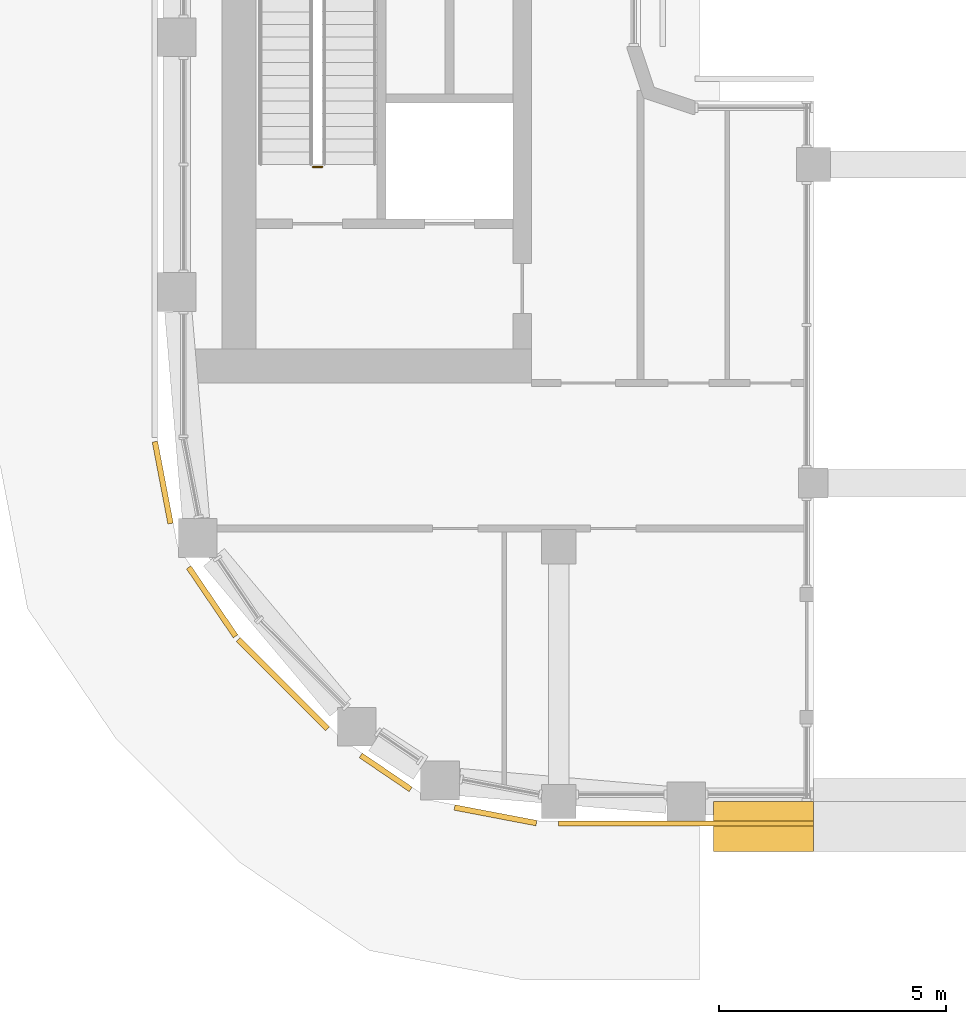
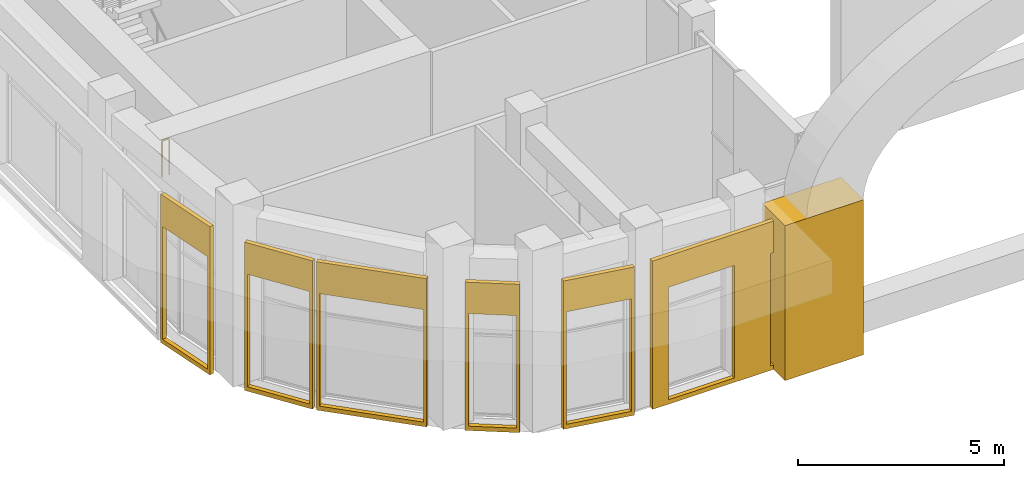
# One storey, part 18 of 26: 7 coverings, 1 railing.
"""IFC4 building model written with IfcOpenShell, lengths in metres."""

from ifc_helpers import new_model, si_unit, direction, frame, origin, origin_2d, place, context, subcontext, project, spatial, polyline, rectangle, circle, outline, extrude, material, layer, layer_set, type_object, element, save


model = new_model("IFC4")

# Units and contexts
model_context = context("Model", 3, precision=1e-05, world=origin(), true_north=direction((0.0, 1.0)))
body_context = subcontext(model_context, "Body", "Model", "MODEL_VIEW")
ifc_project = project(units=[si_unit("LENGTHUNIT", "METRE"), si_unit("AREAUNIT", "SQUARE_METRE"), si_unit("VOLUMEUNIT", "CUBIC_METRE"), si_unit("PLANEANGLEUNIT", "RADIAN"), si_unit("MASSUNIT", "GRAM", prefix="KILO")], contexts=[model_context])

# Site, building, storey
site_placement = place(None, origin())
site = spatial("IfcSite", under=ifc_project, at=site_placement, CompositionType="ELEMENT")
building_placement = place(site_placement, origin())
building = spatial("IfcBuilding", under=site, at=building_placement, Name="Kiln Ring Residences", CompositionType="ELEMENT")
storey_placement = place(building_placement, frame((0.0, 0.0, 230.89990234375)))
storey = spatial("IfcBuildingStorey", under=building, at=storey_placement, Name="L60", CompositionType="ELEMENT", Elevation=230.89990234375)

# Railing
ifc_material_1 = material(Name="Stainless steel", Category="steel")
railing_type = type_object("IfcRailingType", Name="CORE-STAIR-GUARD", PredefinedType="GUARDRAIL", material=ifc_material_1)
railing_placement = place(storey_placement, frame((-22.0, -8.449951171875, 0.0)))
element("IfcRailing", 1, at=railing_placement, inside=storey, type_object=railing_type, Name="L60 W-STS stair guard 4", PredefinedType="GUARDRAIL", context=body_context, shape_type="SweptSolid", body=[
    extrude(circle(Radius=0.02392578125, at=origin_2d()), frame((0.0, 0.0, 1.076171875), z_axis=(-1.0, 0.0, 0.0), x_axis=(0.0, -1.0, 0.0)), (0.0, 0.0, 1.0), 0.199951171875),
    extrude(circle(Radius=0.02099609375, at=origin_2d()), origin(), (0.0, 0.0, 1.0), 1.052001953125),
    extrude(circle(Radius=0.02099609375, at=origin_2d()), frame((-0.199951171875, 0.0, 0.0)), (0.0, 0.0, 1.0), 1.052001953125),
])

# Coverings
ifc_material_2 = material(Name="Concrete C35/45, exposed aggregate finish", Category="concrete")
covering_type_1 = type_object("IfcCoveringType", Name="PORTAL JAMB 1400 x 700", PredefinedType="CLADDING", material=ifc_material_2)
covering_1_placement = place(storey_placement, frame((-12.300048828125, -22.949951171875, 0.0), z_axis=(0.0, 0.0, 1.0), x_axis=(1.0, 0.0, 0.0)))
element("IfcCovering", 2, at=covering_1_placement, inside=storey, type_object=covering_type_1, Name="PORTAL JAMB L60", PredefinedType="CLADDING", context=body_context, shape_type="SweptSolid", body=[
    extrude(rectangle(XDim=2.199951171875, YDim=1.10009765625, at=origin_2d()), origin(), (0.0, 0.0, 1.0), 4.60009765625),
])
ifc_material_3 = material(Name="Brick masonry, dark clay brick", Category="masonry")
ifc_layer = layer(ifc_material_3, 0.1201171875)
ifc_layer_set = layer_set([ifc_layer], Name="RAINSCREEN PANEL 120")
covering_type_2 = type_object("IfcCoveringType", Name="RAINSCREEN PANEL 120", PredefinedType="CLADDING", material=ifc_layer_set)
for number, where, z_axis, x_axis, name in (
    (3, (-25.676513671875, -14.490966796875, 0.0), (0.0, 0.0, 1.0), (0.187467458198, -0.982270814041, 0.0), "RAINSCREEN L60"),
    (4, (-24.933349609375, -17.255126953125, 0.0), (0.0, 0.0, 1.0), (0.562062033417, -0.827095079535, 0.0), "RAINSCREEN L60"),
):
    element("IfcCovering", number, at=place(storey_placement, frame(where, z_axis=z_axis, x_axis=x_axis)), inside=storey, type_object=covering_type_2, Name=name, PredefinedType="CLADDING", context=body_context, shape_type="SweptSolid", body=[
        extrude(outline(polyline([(0.0, 0.0), (1.8310546875, 0.0), (1.8310546875, 4.400146484375), (0.0, 4.400146484375), (0.0, 0.0)]), holes=[polyline([(0.080078125, 3.47021484375), (0.080078125, 0.130126953125), (1.751220703125, 0.130126953125), (1.751220703125, 3.47021484375), (0.080078125, 3.47021484375)])]), frame((0.0, 0.06005859375, 0.0), z_axis=(0.0, -1.0, 0.0), x_axis=(1.0, 0.0, 0.0)), (0.0, 0.0, 1.0), 0.1201171875),
    ])
covering_2_placement = place(storey_placement, frame((-23.845947265625, -18.840087890625, 0.0), z_axis=(0.0, 0.0, 1.0), x_axis=(0.707106781187, -0.707106781187, 0.0)))
element("IfcCovering", 5, at=covering_2_placement, inside=storey, type_object=covering_type_2, Name="RAINSCREEN L60", PredefinedType="CLADDING", context=body_context, shape_type="SweptSolid", body=[
    extrude(outline(polyline([(0.0, 0.0), (2.77490234375, 0.0), (2.77490234375, 4.400146484375), (0.0, 4.400146484375), (0.0, 0.0)]), holes=[polyline([(0.080078125, 3.47021484375), (0.080078125, 0.130126953125), (2.695068359375, 0.130126953125), (2.695068359375, 3.47021484375), (0.080078125, 3.47021484375)])]), frame((0.0, 0.06005859375, 0.0), z_axis=(0.0, -1.0, 0.0), x_axis=(1.0, 0.0, 0.0)), (0.0, 0.0, 1.0), 0.1201171875),
])
covering_3_placement = place(storey_placement, frame((-21.15283203125, -21.387451171875, 0.0), z_axis=(0.0, 0.0, 1.0), x_axis=(0.827121490933, -0.562023166103, 0.0)))
element("IfcCovering", 6, at=covering_3_placement, inside=storey, type_object=covering_type_2, Name="RAINSCREEN L60", PredefinedType="CLADDING", context=body_context, shape_type="SweptSolid", body=[
    extrude(outline(polyline([(0.0, 0.0), (1.3271484375, 0.0), (1.3271484375, 4.400146484375), (0.0, 4.400146484375), (0.0, 0.0)]), holes=[polyline([(0.080078125, 3.47021484375), (0.080078125, 0.130126953125), (1.2470703125, 0.130126953125), (1.2470703125, 3.47021484375), (0.080078125, 3.47021484375)])]), frame((0.0, 0.06005859375, 0.0), z_axis=(0.0, -1.0, 0.0), x_axis=(1.0, 0.0, 0.0)), (0.0, 0.0, 1.0), 0.1201171875),
])
covering_4_placement = place(storey_placement, frame((-19.089599609375, -22.533203125, 0.0), z_axis=(0.0, 0.0, 1.0), x_axis=(0.982275499014, -0.187442908742, 0.0)))
element("IfcCovering", 7, at=covering_4_placement, inside=storey, type_object=covering_type_2, Name="RAINSCREEN L60", PredefinedType="CLADDING", context=body_context, shape_type="SweptSolid", body=[
    extrude(outline(polyline([(0.0, 0.0), (1.8310546875, 0.0), (1.8310546875, 4.400146484375), (0.0, 4.400146484375), (0.0, 0.0)]), holes=[polyline([(0.080078125, 3.47021484375), (0.080078125, 0.130126953125), (1.751220703125, 0.130126953125), (1.751220703125, 3.47021484375), (0.080078125, 3.47021484375)])]), frame((0.0, 0.06005859375, 0.0), z_axis=(0.0, -1.0, 0.0), x_axis=(1.0, 0.0, 0.0)), (0.0, 0.0, 1.0), 0.1201171875),
])
covering_5_placement = place(storey_placement, frame((-16.800048828125, -22.885009765625, 0.0), z_axis=(0.0, 0.0, 1.0), x_axis=(1.0, 0.0, 0.0)))
element("IfcCovering", 8, at=covering_5_placement, inside=storey, type_object=covering_type_2, Name="RAINSCREEN L60", PredefinedType="CLADDING", context=body_context, shape_type="SweptSolid", body=[
    extrude(outline(polyline([(0.0, 0.0), (5.60009765625, 0.0), (5.60009765625, 4.400146484375), (0.0, 4.400146484375), (0.0, 0.0)]), holes=[polyline([(2.294921875, 3.47021484375), (0.455078125, 3.47021484375), (0.455078125, 0.130126953125), (2.294921875, 0.130126953125), (2.294921875, 3.47021484375)]), polyline([(5.52001953125, 3.47021484375), (3.304931640625, 3.47021484375), (3.304931640625, 0.130126953125), (5.52001953125, 0.130126953125), (5.52001953125, 3.47021484375)])]), frame((0.0, 0.06005859375, 0.0), z_axis=(0.0, -1.0, 0.0), x_axis=(1.0, 0.0, 0.0)), (0.0, 0.0, 1.0), 0.1201171875),
])

save(model, "model.ifc")
